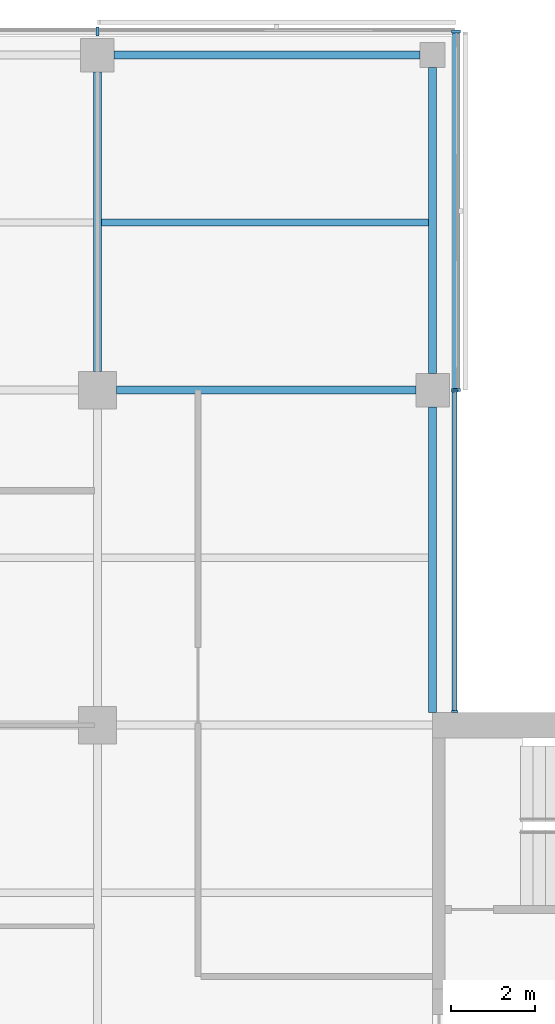
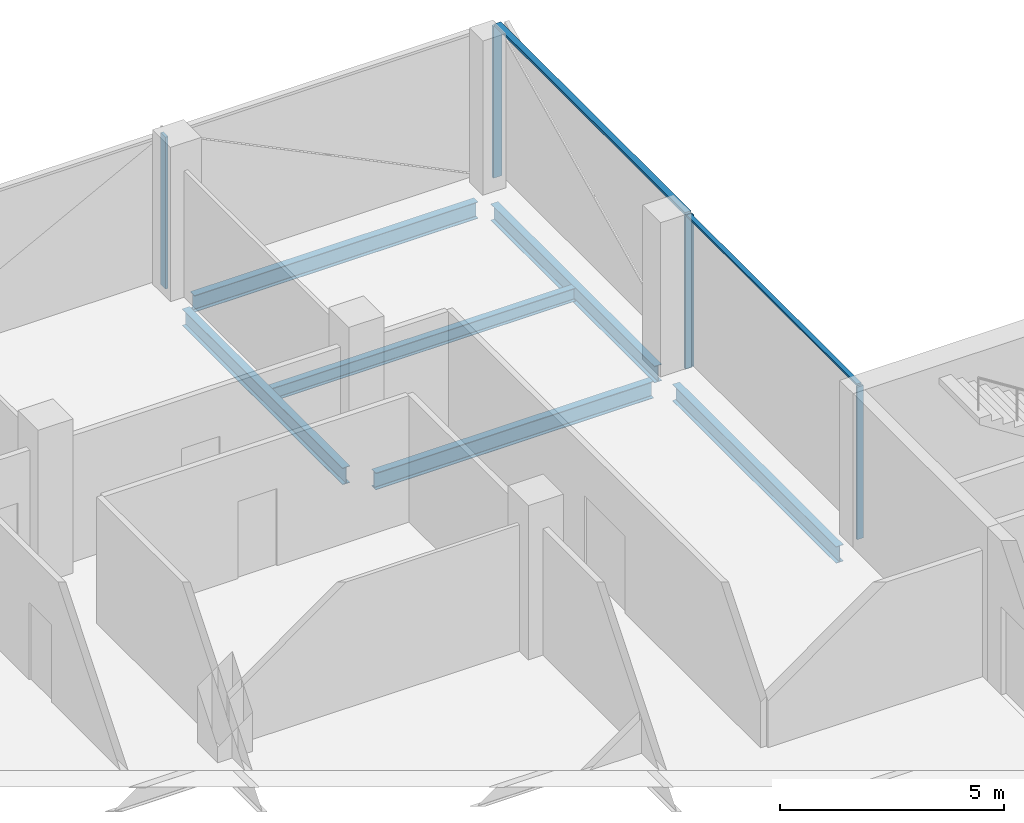
# One storey, part 7 of 15: 7 members, 6 beams, 3 elements without a shape of their own.
"""IFC4 building model written with IfcOpenShell, lengths in metres."""

from ifc_helpers import new_model, si_unit, direction, frame, origin, origin_2d, place, context, subcontext, project, spatial, rectangle, i_section, extrude, material, material_profile, profile_set, type_object, element, aggregate, save


model = new_model("IFC4")

# Units and contexts
model_context = context("Model", 3, precision=1e-05, world=origin(), true_north=direction((0.0, 1.0)))
body_context = subcontext(model_context, "Body", "Model", "MODEL_VIEW")
ifc_project = project(units=[si_unit("LENGTHUNIT", "METRE"), si_unit("AREAUNIT", "SQUARE_METRE"), si_unit("VOLUMEUNIT", "CUBIC_METRE"), si_unit("PLANEANGLEUNIT", "RADIAN"), si_unit("MASSUNIT", "GRAM", prefix="KILO")], contexts=[model_context])

# Site, building, storey
site_placement = place(None, origin())
site = spatial("IfcSite", under=ifc_project, at=site_placement, CompositionType="ELEMENT")
building_placement = place(site_placement, origin())
building = spatial("IfcBuilding", under=site, at=building_placement, Name="Crosswind Convention Tower", CompositionType="ELEMENT")
storey_placement = place(building_placement, frame((0.0, 0.0, 191.5)))
storey = spatial("IfcBuildingStorey", under=building, at=storey_placement, Name="L40", CompositionType="ELEMENT", Elevation=191.5)

# Beams
ifc_material_1 = material(Name="Steel S355", Category="steel")
ifc_material_profile_1 = material_profile(ifc_material_1, i_section(OverallWidth=0.18994140625, OverallDepth=0.45361328125, WebThickness=0.008544921875, FlangeThickness=0.0126953125, FilletRadius=0.01025390625, at=origin_2d()), Name="UB 457x191x67")
ifc_profile_set_1 = profile_set([ifc_material_profile_1], Name="Steel S355")
beam_type_1 = type_object("IfcBeamType", Name="Edge beam UB 457x191x67", PredefinedType="SPANDREL", material=ifc_profile_set_1)
for number, where, z_axis, x_axis, name in (
    (1, (129.39990234375, 128.0, -0.52685546875), (1.0, 0.0, 0.0), (0.0, 1.0, 0.0), "B16 L40 edge beam 10"),
    (2, (137.0, 112.300048828125, -0.52685546875), (0.0, 1.0, 0.0), (-1.0, 0.0, 0.0), "B16 L40 edge beam 13"),
    (3, (137.0, 120.39990234375, -0.52685546875), (0.0, 1.0, 0.0), (-1.0, 0.0, 0.0), "B16 L40 edge beam 14"),
):
    element("IfcBeam", number, at=place(storey_placement, frame(where, z_axis=z_axis, x_axis=x_axis)), inside=storey, type_object=beam_type_1, Name=name, PredefinedType="SPANDREL", context=body_context, shape_type="SweptSolid", body=[
        extrude(i_section(OverallWidth=0.18994140625, OverallDepth=0.45361328125, WebThickness=0.008544921875, FlangeThickness=0.0126953125, FilletRadius=0.01025390625, at=origin_2d()), origin(), (0.0, 0.0, 1.0), 7.300048828125),
    ])
ifc_material_profile_2 = material_profile(ifc_material_1, i_section(OverallWidth=0.1904296875, OverallDepth=0.457275390625, WebThickness=0.009033203125, FlangeThickness=0.014404296875, FilletRadius=0.01025390625, at=origin_2d()), Name="UB 457x191x75")
ifc_profile_set_2 = profile_set([ifc_material_profile_2], Name="Steel S355")
beam_type_2 = type_object("IfcBeamType", Name="Girder UB 457x191x75", PredefinedType="BEAM", material=ifc_profile_set_2)
for number, where, z_axis, x_axis, name in (
    (4, (129.0, 120.449951171875, -0.528564453125), (0.0, 1.0, 0.0), (-1.0, 0.0, 0.0), "B2 L40 girder 22"),
    (5, (129.449951171875, 120.0, -0.528564453125), (1.0, 0.0, 0.0), (0.0, 1.0, 0.0), "B2 L40 girder 24"),
):
    element("IfcBeam", number, at=place(storey_placement, frame(where, z_axis=z_axis, x_axis=x_axis)), inside=storey, type_object=beam_type_2, Name=name, PredefinedType="BEAM", context=body_context, shape_type="SweptSolid", body=[
        extrude(i_section(OverallWidth=0.1904296875, OverallDepth=0.457275390625, WebThickness=0.009033203125, FlangeThickness=0.014404296875, FilletRadius=0.01025390625, at=origin_2d()), origin(), (0.0, 0.0, 1.0), 7.150146484375),
    ])

# Curtain wall, members
ifc_material_2 = material(Name="Aluminium unitised curtain wall", Category="aluminium")
curtain_wall_type_1 = type_object("IfcCurtainWallType", Name="CORE END SLOT WALL 160", PredefinedType="USERDEFINED", material=ifc_material_2)
curtain_wall_1_placement = place(storey_placement, origin())
curtain_wall_1 = element("IfcCurtainWall", 6, at=curtain_wall_1_placement, inside=storey, type_object=curtain_wall_type_1, Name="CW6 L40 N-E.1-1 slot", ObjectType="UNITISED", PredefinedType="USERDEFINED")
ifc_material_3 = material(Name="Aluminium mullion", Category="aluminium")
ifc_material_profile_3 = material_profile(ifc_material_3, rectangle(XDim=0.159912109375, YDim=0.050048828125, at=origin_2d()), Name="AL 160X50")
ifc_profile_set_3 = profile_set([ifc_material_profile_3], Name="Aluminium mullion")
member_type_1 = type_object("IfcMemberType", Name="MULLION 50X160", PredefinedType="MULLION", material=ifc_profile_set_3)
member_1_placement = place(storey_placement, frame((137.530029296875, 112.324951171875, -0.300048828125), z_axis=(0.0, 0.0, 1.0), x_axis=(1.0, 0.0, 0.0)))
member_1 = element("IfcMember", 7, at=member_1_placement, type_object=member_type_1, Name="CW6 mullion 1", PredefinedType="MULLION", context=body_context, shape_type="SweptSolid", body=[
    extrude(rectangle(XDim=0.159912109375, YDim=0.050048828125, at=origin_2d()), origin(), (0.0, 0.0, 1.0), 4.150146484375),
])
member_2_placement = place(storey_placement, frame((137.530029296875, 119.97509765625, -0.300048828125), z_axis=(0.0, 0.0, 1.0), x_axis=(1.0, 0.0, 0.0)))
member_2 = element("IfcMember", 8, at=member_2_placement, type_object=member_type_1, Name="CW6 mullion 2", PredefinedType="MULLION", context=body_context, shape_type="SweptSolid", body=[
    extrude(rectangle(XDim=0.159912109375, YDim=0.050048828125, at=origin_2d()), origin(), (0.0, 0.0, 1.0), 4.150146484375),
])

curtain_wall_type_2 = type_object("IfcCurtainWallType", Name="OFFICE UNITISED WALL 220", PredefinedType="USERDEFINED", material=ifc_material_2)
curtain_wall_2_placement = place(storey_placement, origin())
curtain_wall_2 = element("IfcCurtainWall", 9, at=curtain_wall_2_placement, inside=storey, type_object=curtain_wall_type_2, Name="CW3 L40 N-E 1", ObjectType="UNITISED", PredefinedType="USERDEFINED")
ifc_material_profile_4 = material_profile(ifc_material_3, rectangle(XDim=0.219970703125, YDim=0.070068359375, at=origin_2d()), Name="AL 220X70")
ifc_profile_set_4 = profile_set([ifc_material_profile_4], Name="Aluminium mullion")
member_type_2 = type_object("IfcMemberType", Name="MULLION 70X220", PredefinedType="MULLION", material=ifc_profile_set_4)
member_3_placement = place(storey_placement, frame((137.56005859375, 120.0, -0.300048828125), z_axis=(0.0, 0.0, 1.0), x_axis=(1.0, 0.0, 0.0)))
member_3 = element("IfcMember", 10, at=member_3_placement, type_object=member_type_2, Name="CW3 mullion 1", PredefinedType="MULLION", context=body_context, shape_type="SweptSolid", body=[
    extrude(rectangle(XDim=0.219970703125, YDim=0.070068359375, at=origin_2d()), origin(), (0.0, 0.0, 1.0), 4.130126953125),
])
member_4_placement = place(storey_placement, frame((137.56005859375, 128.56005859375, -0.300048828125), z_axis=(0.0, 0.0, 1.0), x_axis=(1.0, 0.0, 0.0)))
member_4 = element("IfcMember", 11, at=member_4_placement, type_object=member_type_2, Name="CW3 mullion 2", PredefinedType="MULLION", context=body_context, shape_type="SweptSolid", body=[
    extrude(rectangle(XDim=0.219970703125, YDim=0.070068359375, at=origin_2d()), origin(), (0.0, 0.0, 1.0), 4.130126953125),
])

# Curtain wall, member
curtain_wall_3_placement = place(storey_placement, origin())
curtain_wall_3 = element("IfcCurtainWall", 12, at=curtain_wall_3_placement, inside=storey, type_object=curtain_wall_type_2, Name="CW3 L40 N-TIP 1", ObjectType="UNITISED", PredefinedType="USERDEFINED")
member_5_placement = place(storey_placement, frame((129.0, 128.56005859375, -0.300048828125), z_axis=(0.0, 0.0, 1.0), x_axis=(0.0, 1.0, 0.0)))
member_5 = element("IfcMember", 13, at=member_5_placement, type_object=member_type_2, Name="CW3 mullion 2", PredefinedType="MULLION", context=body_context, shape_type="SweptSolid", body=[
    extrude(rectangle(XDim=0.219970703125, YDim=0.070068359375, at=origin_2d()), origin(), (0.0, 0.0, 1.0), 4.130126953125),
])
aggregate(curtain_wall_3, [member_5])

# Beam
ifc_material_profile_5 = material_profile(ifc_material_1, i_section(OverallWidth=0.172119140625, OverallDepth=0.358642578125, WebThickness=0.008056640625, FlangeThickness=0.012939453125, FilletRadius=0.01025390625, at=origin_2d()), Name="UB 356x171x57")
ifc_profile_set_5 = profile_set([ifc_material_profile_5], Name="Steel S355")
beam_type_3 = type_object("IfcBeamType", Name="Secondary beam UB 356x171x57", PredefinedType="JOIST", material=ifc_profile_set_5)
beam_placement = place(storey_placement, frame((129.09521484375, 124.0, -0.479248046875), z_axis=(1.0, 0.0, 0.0), x_axis=(0.0, 1.0, 0.0)))
element("IfcBeam", 14, at=beam_placement, inside=storey, type_object=beam_type_3, Name="B9 L40 secondary beam 21", PredefinedType="JOIST", context=body_context, shape_type="SweptSolid", body=[
    extrude(i_section(OverallWidth=0.172119140625, OverallDepth=0.358642578125, WebThickness=0.008056640625, FlangeThickness=0.012939453125, FilletRadius=0.01025390625, at=origin_2d()), origin(), (0.0, 0.0, 1.0), 7.809814453125),
])

# Member
ifc_material_4 = material(Name="Aluminium transom", Category="aluminium")
ifc_material_profile_6 = material_profile(ifc_material_4, rectangle(XDim=0.1201171875, YDim=0.050048828125, at=origin_2d()), Name="AL 120X50")
ifc_profile_set_6 = profile_set([ifc_material_profile_6], Name="Aluminium transom")
member_type_3 = type_object("IfcMemberType", Name="TRANSOM 50X120", PredefinedType="USERDEFINED", material=ifc_profile_set_6)
member_6_placement = place(storey_placement, frame((137.530029296875, 112.35009765625, 3.875), z_axis=(0.0, 1.0, 0.0), x_axis=(-1.0, 0.0, 0.0)))
member_6 = element("IfcMember", 15, at=member_6_placement, type_object=member_type_3, Name="CW6 transom", ObjectType="TRANSOM", PredefinedType="USERDEFINED", context=body_context, shape_type="SweptSolid", body=[
    extrude(rectangle(XDim=0.1201171875, YDim=0.050048828125, at=origin_2d()), origin(), (0.0, 0.0, 1.0), 7.599853515625),
])

aggregate(curtain_wall_1, [member_1, member_2, member_6])

ifc_material_profile_7 = material_profile(ifc_material_4, rectangle(XDim=0.159912109375, YDim=0.070068359375, at=origin_2d()), Name="AL 160X70")
ifc_profile_set_7 = profile_set([ifc_material_profile_7], Name="Aluminium transom")
member_type_4 = type_object("IfcMemberType", Name="TRANSOM 70X160", PredefinedType="USERDEFINED", material=ifc_profile_set_7)
member_7_placement = place(storey_placement, frame((137.56005859375, 120.034912109375, 3.864990234375), z_axis=(0.0, 1.0, 0.0), x_axis=(-1.0, 0.0, 0.0)))
member_7 = element("IfcMember", 16, at=member_7_placement, type_object=member_type_4, Name="CW3 transom", ObjectType="TRANSOM", PredefinedType="USERDEFINED", context=body_context, shape_type="SweptSolid", body=[
    extrude(rectangle(XDim=0.159912109375, YDim=0.070068359375, at=origin_2d()), origin(), (0.0, 0.0, 1.0), 8.489990234375),
])

aggregate(curtain_wall_2, [member_3, member_4, member_7])

save(model, "model.ifc")
